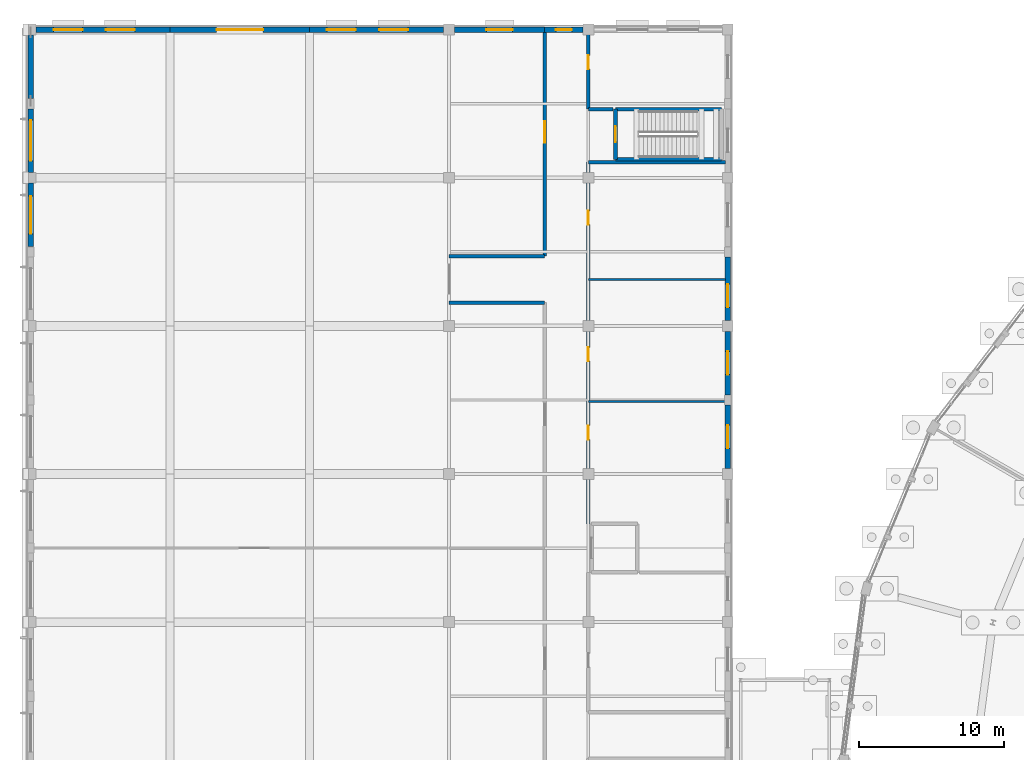
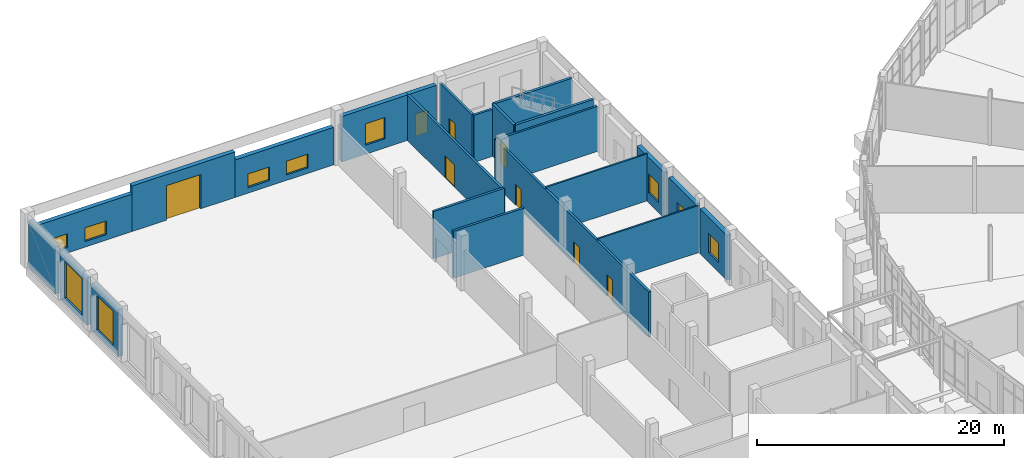
# One storey, part 107 of 137: 23 walls, 10 windows, 8 doors, 18 openings.
"""IFC4 building model written with IfcOpenShell, lengths in metres."""

from ifc_helpers import new_model, si_unit, direction, frame, frame_2d, origin, place, context, subcontext, project, spatial, rectangle, extrude, material, layer, layer_set, type_object, element, fill, save


model = new_model("IFC4")

# Units and contexts
model_context = context("Model", 3, precision=1e-05, world=origin(), true_north=direction((0.0, 1.0)))
body_context = subcontext(model_context, "Body", "Model", "MODEL_VIEW")
ifc_project = project(units=[si_unit("LENGTHUNIT", "METRE"), si_unit("AREAUNIT", "SQUARE_METRE"), si_unit("VOLUMEUNIT", "CUBIC_METRE"), si_unit("PLANEANGLEUNIT", "RADIAN"), si_unit("MASSUNIT", "GRAM", prefix="KILO")], contexts=[model_context])

# Site, building, storey
site_placement = place(None, origin())
site = spatial("IfcSite", under=ifc_project, at=site_placement, CompositionType="ELEMENT")
building_placement = place(site_placement, origin())
building = spatial("IfcBuilding", under=site, at=building_placement, Name="Vondelvale Polytechnic", CompositionType="ELEMENT")
storey_placement = place(building_placement, origin())
storey = spatial("IfcBuildingStorey", under=building, at=storey_placement, Name="L00", CompositionType="ELEMENT", Elevation=0.0)

# Walls
ifc_material_1 = material(Name="Concrete N40 (f'c = 40 MPa)", Category="concrete")
ifc_layer_1 = layer(ifc_material_1, 0.25)
ifc_layer_set_1 = layer_set([ifc_layer_1], Name="WL-CORE-250")
wall_type_1 = type_object("IfcWallType", Name="WL-CORE-250", PredefinedType="SOLIDWALL", material=ifc_layer_set_1)
for number, where, z_axis, x_axis, name in (
    (1, (40.27490234375, 113.47509765625, 0.0), (0.0, 0.0, 1.0), (1.0, 0.0, 0.0), "L00 ST-02 reinforced concrete stair core wall"),
    (2, (47.574951171875, 116.925048828125, 0.0), (0.0, 0.0, 1.0), (-1.0, 0.0, 0.0), "L00 ST-02 reinforced concrete stair core wall"),
):
    element("IfcWall", number, at=place(storey_placement, frame(where, z_axis=z_axis, x_axis=x_axis)), inside=storey, type_object=wall_type_1, Name=name, PredefinedType="SOLIDWALL", context=body_context, shape_type="SweptSolid", body=[
        extrude(rectangle(XDim=7.300048828125, YDim=0.25, at=frame_2d((3.64990234375, 0.0))), origin(), (0.0, 0.0, 1.0), 5.1201171875),
    ])

# Wall, opening, door
wall_1_placement = place(storey_placement, frame((40.27490234375, 113.47509765625, 0.0), z_axis=(0.0, 0.0, 1.0), x_axis=(0.0, 1.0, 0.0)))
wall_1 = element("IfcWall", 3, at=wall_1_placement, inside=storey, type_object=wall_type_1, Name="L00 ST-02 reinforced concrete stair core wall", PredefinedType="SOLIDWALL", context=body_context, shape_type="SweptSolid", body=[
    extrude(rectangle(XDim=3.449951171875, YDim=0.25, at=frame_2d((1.72509765625, 0.0))), origin(), (0.0, 0.0, 1.0), 5.1201171875),
])
opening_1_placement = place(wall_1_placement, frame((1.175048828125, 0.0, 0.0)))
opening_1 = element("IfcOpeningElement", 4, at=opening_1_placement, cuts=wall_1, Name="Opening SD-006", PredefinedType="OPENING", context=body_context, shape_type="SweptSolid", body=[
    extrude(rectangle(XDim=1.10009765625, YDim=2.199951171875, at=frame_2d((0.550048828125, 1.10009765625))), frame((0.0, 0.135009765625, 0.0), z_axis=(0.0, -1.0, 0.0), x_axis=(1.0, 0.0, 0.0)), (0.0, 0.0, 1.0), 0.27001953125),
])
ifc_material_2 = material(Name="Brushed architectural stainless and zinc-coated metal")
door_type_1 = type_object("IfcDoorType", Name="DR-STAIR-1100x2200", OperationType="SINGLE_SWING_LEFT", PredefinedType="DOOR", material=ifc_material_2)
door_1_placement = place(opening_1_placement, origin())
door_1 = element("IfcDoor", 5, at=door_1_placement, inside=storey, type_object=door_type_1, Name="L00 ST-02 fire-isolated stair door", OperationType="SINGLE_SWING_RIGHT", OverallHeight=2.199951171875, OverallWidth=1.10009765625, PredefinedType="DOOR", context=body_context, shape_type="SweptSolid", body=[
    extrude(rectangle(XDim=1.10009765625, YDim=2.199951171875, at=frame_2d((0.550048828125, 1.10009765625))), frame((0.0, 0.02490234375, 0.0), z_axis=(0.0, -1.0, 0.0), x_axis=(1.0, 0.0, 0.0)), (0.0, 0.0, 1.0), 0.050048828125),
])
fill(opening_1, door_1)

# Walls
ifc_material_3 = material(Name="Fire-rated double-layer plasterboard stud partition")
ifc_layer_2 = layer(ifc_material_3, 0.219970703125)
ifc_layer_set_2 = layer_set([ifc_layer_2], Name="WL-CORR-220")
wall_type_2 = type_object("IfcWallType", Name="WL-CORR-220", PredefinedType="PARTITIONING", material=ifc_layer_set_2)
for number, where, z_axis, x_axis, name in (
    (6, (28.800048828125, 103.60009765625, 0.0), (0.0, 0.0, 1.0), (1.0, 0.0, 0.0), "L00 interior acoustic partition"),
    (7, (28.800048828125, 106.800048828125, 0.0), (0.0, 0.0, 1.0), (1.0, 0.0, 0.0), "L00 interior acoustic partition"),
):
    element("IfcWall", number, at=place(storey_placement, frame(where, z_axis=z_axis, x_axis=x_axis)), inside=storey, type_object=wall_type_2, Name=name, PredefinedType="PARTITIONING", context=body_context, shape_type="SweptSolid", body=[
        extrude(rectangle(XDim=6.599853515625, YDim=0.219970703125, at=frame_2d((3.2998046875, 0.0))), origin(), (0.0, 0.0, 1.0), 4.64306640625),
    ])

# Wall, opening, door
wall_2_placement = place(storey_placement, frame((35.39990234375, 106.800048828125, 0.0), z_axis=(0.0, 0.0, 1.0), x_axis=(0.0, 1.0, 0.0)))
wall_2 = element("IfcWall", 8, at=wall_2_placement, inside=storey, type_object=wall_type_2, Name="L00 interior acoustic partition", PredefinedType="PARTITIONING", context=body_context, shape_type="SweptSolid", body=[
    extrude(rectangle(XDim=15.449951171875, YDim=0.219970703125, at=frame_2d((7.72509765625, 0.0))), origin(), (0.0, 0.0, 1.0), 4.492919921875),
])
opening_2_placement = place(wall_2_placement, frame((7.800048828125, 0.0, 0.0)))
opening_2 = element("IfcOpeningElement", 9, at=opening_2_placement, cuts=wall_2, Name="Opening ID-0094", PredefinedType="OPENING", context=body_context, shape_type="SweptSolid", body=[
    extrude(rectangle(XDim=1.5, YDim=2.199951171875, at=frame_2d((0.75, 1.10009765625))), frame((0.0, 0.119873046875, 0.0), z_axis=(0.0, -1.0, 0.0), x_axis=(1.0, 0.0, 0.0)), (0.0, 0.0, 1.0), 0.239990234375),
])
ifc_material_4 = material(Name="Fire-rated solid Tasmanian oak joinery")
door_type_2 = type_object("IfcDoorType", Name="DR-LAB-1500x2200", OperationType="DOUBLE_DOOR_SINGLE_SWING", PredefinedType="DOOR", material=ifc_material_4)
door_2_placement = place(opening_2_placement, origin())
door_2 = element("IfcDoor", 10, at=door_2_placement, inside=storey, type_object=door_type_2, Name="L00 interior room door ID-0094", OperationType="DOUBLE_DOOR_SINGLE_SWING", OverallHeight=2.199951171875, OverallWidth=1.5, PredefinedType="DOOR", context=body_context, shape_type="SweptSolid", body=[
    extrude(rectangle(XDim=1.5, YDim=2.199951171875, at=frame_2d((0.75, 1.10009765625))), frame((0.0, 0.02490234375, 0.0), z_axis=(0.0, -1.0, 0.0), x_axis=(1.0, 0.0, 0.0)), (0.0, 0.0, 1.0), 0.050048828125),
])
fill(opening_2, door_2)

# Wall, openings, doors
wall_3_placement = place(storey_placement, frame((38.39990234375, 88.375, 0.0), z_axis=(0.0, 0.0, 1.0), x_axis=(0.0, 1.0, 0.0)))
wall_3 = element("IfcWall", 11, at=wall_3_placement, inside=storey, type_object=wall_type_2, Name="L00 interior acoustic partition", PredefinedType="PARTITIONING", context=body_context, shape_type="SweptSolid", body=[
    extrude(rectangle(XDim=24.89990234375, YDim=0.219970703125, at=frame_2d((12.449951171875, 0.0))), origin(), (0.0, 0.0, 1.0), 4.492919921875),
])
opening_3_placement = place(wall_3_placement, frame((5.800048828125, 0.0, 0.0)))
opening_3 = element("IfcOpeningElement", 12, at=opening_3_placement, cuts=wall_3, Name="Opening ID-0100", PredefinedType="OPENING", context=body_context, shape_type="SweptSolid", body=[
    extrude(rectangle(XDim=0.949951171875, YDim=2.10009765625, at=frame_2d((0.47509765625, 1.050048828125))), frame((0.0, 0.119873046875, 0.0), z_axis=(0.0, -1.0, 0.0), x_axis=(1.0, 0.0, 0.0)), (0.0, 0.0, 1.0), 0.239990234375),
])
opening_4_placement = place(wall_3_placement, frame((11.199951171875, 0.0, 0.0)))
opening_4 = element("IfcOpeningElement", 13, at=opening_4_placement, cuts=wall_3, Name="Opening ID-0101", PredefinedType="OPENING", context=body_context, shape_type="SweptSolid", body=[
    extrude(rectangle(XDim=0.949951171875, YDim=2.10009765625, at=frame_2d((0.47509765625, 1.050048828125))), frame((0.0, 0.119873046875, 0.0), z_axis=(0.0, -1.0, 0.0), x_axis=(1.0, 0.0, 0.0)), (0.0, 0.0, 1.0), 0.239990234375),
])
opening_5_placement = place(wall_3_placement, frame((20.60009765625, 0.0, 0.0)))
opening_5 = element("IfcOpeningElement", 14, at=opening_5_placement, cuts=wall_3, Name="Opening ID-0102", PredefinedType="OPENING", context=body_context, shape_type="SweptSolid", body=[
    extrude(rectangle(XDim=0.949951171875, YDim=2.10009765625, at=frame_2d((0.47509765625, 1.050048828125))), frame((0.0, 0.119873046875, 0.0), z_axis=(0.0, -1.0, 0.0), x_axis=(1.0, 0.0, 0.0)), (0.0, 0.0, 1.0), 0.239990234375),
])
door_type_3 = type_object("IfcDoorType", Name="DR-INT-0950x2100", OperationType="SINGLE_SWING_LEFT", PredefinedType="DOOR", material=ifc_material_4)
door_3_placement = place(opening_3_placement, origin())
door_3 = element("IfcDoor", 15, at=door_3_placement, inside=storey, type_object=door_type_3, Name="L00 interior room door ID-0100", OperationType="SINGLE_SWING_RIGHT", OverallHeight=2.10009765625, OverallWidth=0.949951171875, PredefinedType="DOOR", context=body_context, shape_type="SweptSolid", body=[
    extrude(rectangle(XDim=0.949951171875, YDim=2.10009765625, at=frame_2d((0.47509765625, 1.050048828125))), frame((0.0, 0.02490234375, 0.0), z_axis=(0.0, -1.0, 0.0), x_axis=(1.0, 0.0, 0.0)), (0.0, 0.0, 1.0), 0.050048828125),
])
fill(opening_3, door_3)
door_4_placement = place(opening_4_placement, origin())
door_4 = element("IfcDoor", 16, at=door_4_placement, inside=storey, type_object=door_type_3, Name="L00 interior room door ID-0101", OperationType="SINGLE_SWING_LEFT", OverallHeight=2.10009765625, OverallWidth=0.949951171875, PredefinedType="DOOR", context=body_context, shape_type="SweptSolid", body=[
    extrude(rectangle(XDim=0.949951171875, YDim=2.10009765625, at=frame_2d((0.47509765625, 1.050048828125))), frame((0.0, 0.02490234375, 0.0), z_axis=(0.0, -1.0, 0.0), x_axis=(1.0, 0.0, 0.0)), (0.0, 0.0, 1.0), 0.050048828125),
])
fill(opening_4, door_4)
door_5_placement = place(opening_5_placement, origin())
door_5 = element("IfcDoor", 17, at=door_5_placement, inside=storey, type_object=door_type_3, Name="L00 interior room door ID-0102", OperationType="SINGLE_SWING_RIGHT", OverallHeight=2.10009765625, OverallWidth=0.949951171875, PredefinedType="DOOR", context=body_context, shape_type="SweptSolid", body=[
    extrude(rectangle(XDim=0.949951171875, YDim=2.10009765625, at=frame_2d((0.47509765625, 1.050048828125))), frame((0.0, 0.02490234375, 0.0), z_axis=(0.0, -1.0, 0.0), x_axis=(1.0, 0.0, 0.0)), (0.0, 0.0, 1.0), 0.050048828125),
])
fill(opening_5, door_5)

# Walls
wall_4_placement = place(storey_placement, frame((38.39990234375, 113.27490234375, 0.0), z_axis=(0.0, 0.0, 1.0), x_axis=(1.0, 0.0, 0.0)))
element("IfcWall", 18, at=wall_4_placement, inside=storey, type_object=wall_type_2, Name="L00 interior acoustic partition", PredefinedType="PARTITIONING", context=body_context, shape_type="SweptSolid", body=[
    extrude(rectangle(XDim=9.4501953125, YDim=0.219970703125, at=frame_2d((4.72509765625, 0.0))), origin(), (0.0, 0.0, 1.0), 4.449951171875),
])
wall_5_placement = place(storey_placement, frame((38.39990234375, 116.925048828125, 0.0), z_axis=(0.0, 0.0, 1.0), x_axis=(1.0, 0.0, 0.0)))
element("IfcWall", 19, at=wall_5_placement, inside=storey, type_object=wall_type_2, Name="L00 interior acoustic partition", PredefinedType="PARTITIONING", context=body_context, shape_type="SweptSolid", body=[
    extrude(rectangle(XDim=1.710205078125, YDim=0.219970703125, at=frame_2d((0.85498046875, 0.0))), origin(), (0.0, 0.0, 1.0), 4.64306640625),
])

# Wall, opening, door
wall_6_placement = place(storey_placement, frame((38.39990234375, 116.925048828125, 0.0), z_axis=(0.0, 0.0, 1.0), x_axis=(0.0, 1.0, 0.0)))
wall_6 = element("IfcWall", 20, at=wall_6_placement, inside=storey, type_object=wall_type_2, Name="L00 interior acoustic partition", PredefinedType="PARTITIONING", context=body_context, shape_type="SweptSolid", body=[
    extrude(rectangle(XDim=5.324951171875, YDim=0.219970703125, at=frame_2d((2.66259765625, 0.0))), origin(), (0.0, 0.0, 1.0), 4.64306640625),
])
opening_6_placement = place(wall_6_placement, frame((2.75, 0.0, 0.0)))
opening_6 = element("IfcOpeningElement", 21, at=opening_6_placement, cuts=wall_6, Name="Opening ID-0103", PredefinedType="OPENING", context=body_context, shape_type="SweptSolid", body=[
    extrude(rectangle(XDim=0.949951171875, YDim=2.10009765625, at=frame_2d((0.47509765625, 1.050048828125))), frame((0.0, 0.119873046875, 0.0), z_axis=(0.0, -1.0, 0.0), x_axis=(1.0, 0.0, 0.0)), (0.0, 0.0, 1.0), 0.239990234375),
])
door_6_placement = place(opening_6_placement, origin())
door_6 = element("IfcDoor", 22, at=door_6_placement, inside=storey, type_object=door_type_3, Name="L00 interior room door ID-0103", OperationType="SINGLE_SWING_LEFT", OverallHeight=2.10009765625, OverallWidth=0.949951171875, PredefinedType="DOOR", context=body_context, shape_type="SweptSolid", body=[
    extrude(rectangle(XDim=0.949951171875, YDim=2.10009765625, at=frame_2d((0.47509765625, 1.050048828125))), frame((0.0, 0.02490234375, 0.0), z_axis=(0.0, -1.0, 0.0), x_axis=(1.0, 0.0, 0.0)), (0.0, 0.0, 1.0), 0.050048828125),
])
fill(opening_6, door_6)

# Walls
ifc_layer_3 = layer(ifc_material_3, 0.14990234375)
ifc_layer_set_3 = layer_set([ifc_layer_3], Name="WL-INT-150")
wall_type_3 = type_object("IfcWallType", Name="WL-INT-150", PredefinedType="PARTITIONING", material=ifc_layer_set_3)
for number, where, z_axis, x_axis, name in (
    (23, (38.39990234375, 96.800048828125, 0.0), (0.0, 0.0, 1.0), (1.0, 0.0, 0.0), "L00 interior acoustic partition"),
    (24, (38.39990234375, 105.199951171875, 0.0), (0.0, 0.0, 1.0), (1.0, 0.0, 0.0), "L00 interior acoustic partition"),
):
    element("IfcWall", number, at=place(storey_placement, frame(where, z_axis=z_axis, x_axis=x_axis)), inside=storey, type_object=wall_type_3, Name=name, PredefinedType="PARTITIONING", context=body_context, shape_type="SweptSolid", body=[
        extrude(rectangle(XDim=9.4501953125, YDim=0.14990234375, at=frame_2d((4.72509765625, 0.0))), origin(), (0.0, 0.0, 1.0), 4.64306640625),
    ])

# Wall, opening, window
ifc_material_5 = material(Name="Malmsbury bluestone ashlar stone masonry", Category="masonry")
ifc_layer_4 = layer(ifc_material_5, 0.39990234375)
ifc_layer_set_4 = layer_set([ifc_layer_4], Name="WL-PLINTH-400")
wall_type_4 = type_object("IfcWallType", Name="WL-PLINTH-400", PredefinedType="SOLIDWALL", material=ifc_layer_set_4)
wall_7_placement = place(storey_placement, frame((0.0, 107.450927734375, 0.0), z_axis=(0.0, 0.0, 1.0), x_axis=(0.0, 1.0, 0.0)))
wall_7 = element("IfcWall", 25, at=wall_7_placement, inside=storey, type_object=wall_type_4, Name="L00 exterior masonry facade wall", PredefinedType="SOLIDWALL", context=body_context, shape_type="SweptSolid", body=[
    extrude(rectangle(XDim=4.373046875, YDim=0.39990234375, at=frame_2d((2.1865234375, 0.0))), origin(), (0.0, 0.0, 1.0), 4.64990234375),
])
opening_7_placement = place(wall_7_placement, frame((0.886474609375, 0.0, 0.550048828125)))
opening_7 = element("IfcOpeningElement", 26, at=opening_7_placement, cuts=wall_7, Name="Opening WN-0010", PredefinedType="OPENING", context=body_context, shape_type="SweptSolid", body=[
    extrude(rectangle(XDim=2.60009765625, YDim=3.39990234375, at=frame_2d((1.300048828125, 1.699951171875))), frame((0.0, 0.2099609375, 0.0), z_axis=(0.0, -1.0, 0.0), x_axis=(1.0, 0.0, 0.0)), (0.0, 0.0, 1.0), 0.419921875),
])
ifc_material_6 = material(Name="Double-glazed low-E insulated architectural glass", Category="glass")
window_type_1 = type_object("IfcWindowType", Name="WN-WORK-2600x3400", PartitioningType="SINGLE_PANEL", PredefinedType="WINDOW", material=ifc_material_6)
window_1_placement = place(opening_7_placement, origin())
window_1 = element("IfcWindow", 27, at=window_1_placement, inside=storey, type_object=window_type_1, Name="L00 double-glazed architectural window WN-0010", OverallHeight=3.39990234375, OverallWidth=2.60009765625, PartitioningType="SINGLE_PANEL", PredefinedType="WINDOW", context=body_context, shape_type="SweptSolid", body=[
    extrude(rectangle(XDim=2.60009765625, YDim=3.39990234375, at=frame_2d((1.300048828125, 1.699951171875))), frame((0.0, 0.030029296875, 0.0), z_axis=(0.0, -1.0, 0.0), x_axis=(1.0, 0.0, 0.0)), (0.0, 0.0, 1.0), 0.06005859375),
])
fill(opening_7, window_1)

wall_8_placement = place(storey_placement, frame((0.0, 112.575927734375, 0.0), z_axis=(0.0, 0.0, 1.0), x_axis=(0.0, 1.0, 0.0)))
wall_8 = element("IfcWall", 28, at=wall_8_placement, inside=storey, type_object=wall_type_4, Name="L00 exterior masonry facade wall", PredefinedType="SOLIDWALL", context=body_context, shape_type="SweptSolid", body=[
    extrude(rectangle(XDim=4.373046875, YDim=0.39990234375, at=frame_2d((2.1865234375, 0.0))), origin(), (0.0, 0.0, 1.0), 4.64990234375),
])
opening_8_placement = place(wall_8_placement, frame((0.78662109375, 0.0, 0.550048828125)))
opening_8 = element("IfcOpeningElement", 29, at=opening_8_placement, cuts=wall_8, Name="Opening WN-0011", PredefinedType="OPENING", context=body_context, shape_type="SweptSolid", body=[
    extrude(rectangle(XDim=2.800048828125, YDim=3.60009765625, at=frame_2d((1.39990234375, 1.800048828125))), frame((0.0, 0.2099609375, 0.0), z_axis=(0.0, -1.0, 0.0), x_axis=(1.0, 0.0, 0.0)), (0.0, 0.0, 1.0), 0.419921875),
])
window_type_2 = type_object("IfcWindowType", Name="WN-WORK-2800x3600", PartitioningType="SINGLE_PANEL", PredefinedType="WINDOW", material=ifc_material_6)
window_2_placement = place(opening_8_placement, origin())
window_2 = element("IfcWindow", 30, at=window_2_placement, inside=storey, type_object=window_type_2, Name="L00 double-glazed architectural window WN-0011", OverallHeight=3.60009765625, OverallWidth=2.800048828125, PartitioningType="SINGLE_PANEL", PredefinedType="WINDOW", context=body_context, shape_type="SweptSolid", body=[
    extrude(rectangle(XDim=2.800048828125, YDim=3.60009765625, at=frame_2d((1.39990234375, 1.800048828125))), frame((0.0, 0.030029296875, 0.0), z_axis=(0.0, -1.0, 0.0), x_axis=(1.0, 0.0, 0.0)), (0.0, 0.0, 1.0), 0.06005859375),
])
fill(opening_8, window_2)

# Wall
wall_9_placement = place(storey_placement, frame((0.0, 117.65087890625, 0.0), z_axis=(0.0, 0.0, 1.0), x_axis=(0.0, 1.0, 0.0)))
element("IfcWall", 31, at=wall_9_placement, inside=storey, type_object=wall_type_4, Name="L00 exterior masonry facade wall", PredefinedType="SOLIDWALL", context=body_context, shape_type="SweptSolid", body=[
    extrude(rectangle(XDim=4.373046875, YDim=0.39990234375, at=frame_2d((2.1865234375, 0.0))), origin(), (0.0, 0.0, 1.0), 4.64990234375),
])

# Wall, opening, window
wall_10_placement = place(storey_placement, frame((48.0, 96.549072265625, 0.0), z_axis=(0.0, 0.0, 1.0), x_axis=(0.0, -1.0, 0.0)))
wall_10 = element("IfcWall", 32, at=wall_10_placement, inside=storey, type_object=wall_type_4, Name="L00 exterior masonry facade wall", PredefinedType="SOLIDWALL", context=body_context, shape_type="SweptSolid", body=[
    extrude(rectangle(XDim=4.373046875, YDim=0.39990234375, at=frame_2d((2.1865234375, 0.0))), origin(), (0.0, 0.0, 1.0), 4.449951171875),
])
opening_9_placement = place(wall_10_placement, frame((1.386474609375, 0.0, 0.949951171875)))
opening_9 = element("IfcOpeningElement", 33, at=opening_9_placement, cuts=wall_10, Name="Opening WN-0019", PredefinedType="OPENING", context=body_context, shape_type="SweptSolid", body=[
    extrude(rectangle(XDim=1.60009765625, YDim=1.89990234375, at=frame_2d((0.800048828125, 0.949951171875))), frame((0.0, 0.2099609375, 0.0), z_axis=(0.0, -1.0, 0.0), x_axis=(1.0, 0.0, 0.0)), (0.0, 0.0, 1.0), 0.419921875),
])
window_type_3 = type_object("IfcWindowType", Name="WN-SEM-1600x1900", PartitioningType="SINGLE_PANEL", PredefinedType="WINDOW", material=ifc_material_6)
window_3_placement = place(opening_9_placement, origin())
window_3 = element("IfcWindow", 34, at=window_3_placement, inside=storey, type_object=window_type_3, Name="L00 double-glazed architectural window WN-0019", OverallHeight=1.89990234375, OverallWidth=1.60009765625, PartitioningType="SINGLE_PANEL", PredefinedType="WINDOW", context=body_context, shape_type="SweptSolid", body=[
    extrude(rectangle(XDim=1.60009765625, YDim=1.89990234375, at=frame_2d((0.800048828125, 0.949951171875))), frame((0.0, 0.030029296875, 0.0), z_axis=(0.0, -1.0, 0.0), x_axis=(1.0, 0.0, 0.0)), (0.0, 0.0, 1.0), 0.06005859375),
])
fill(opening_9, window_3)

wall_11_placement = place(storey_placement, frame((48.0, 101.6240234375, 0.0), z_axis=(0.0, 0.0, 1.0), x_axis=(0.0, -1.0, 0.0)))
wall_11 = element("IfcWall", 35, at=wall_11_placement, inside=storey, type_object=wall_type_4, Name="L00 exterior masonry facade wall", PredefinedType="SOLIDWALL", context=body_context, shape_type="SweptSolid", body=[
    extrude(rectangle(XDim=4.373046875, YDim=0.39990234375, at=frame_2d((2.1865234375, 0.0))), origin(), (0.0, 0.0, 1.0), 4.449951171875),
])
opening_10_placement = place(wall_11_placement, frame((1.386474609375, 0.0, 0.949951171875)))
opening_10 = element("IfcOpeningElement", 36, at=opening_10_placement, cuts=wall_11, Name="Opening WN-0020", PredefinedType="OPENING", context=body_context, shape_type="SweptSolid", body=[
    extrude(rectangle(XDim=1.60009765625, YDim=1.89990234375, at=frame_2d((0.800048828125, 0.949951171875))), frame((0.0, 0.2099609375, 0.0), z_axis=(0.0, -1.0, 0.0), x_axis=(1.0, 0.0, 0.0)), (0.0, 0.0, 1.0), 0.419921875),
])
window_4_placement = place(opening_10_placement, origin())
window_4 = element("IfcWindow", 37, at=window_4_placement, inside=storey, type_object=window_type_3, Name="L00 double-glazed architectural window WN-0020", OverallHeight=1.89990234375, OverallWidth=1.60009765625, PartitioningType="SINGLE_PANEL", PredefinedType="WINDOW", context=body_context, shape_type="SweptSolid", body=[
    extrude(rectangle(XDim=1.60009765625, YDim=1.89990234375, at=frame_2d((0.800048828125, 0.949951171875))), frame((0.0, 0.030029296875, 0.0), z_axis=(0.0, -1.0, 0.0), x_axis=(1.0, 0.0, 0.0)), (0.0, 0.0, 1.0), 0.06005859375),
])
fill(opening_10, window_4)

wall_12_placement = place(storey_placement, frame((48.0, 106.7490234375, 0.0), z_axis=(0.0, 0.0, 1.0), x_axis=(0.0, -1.0, 0.0)))
wall_12 = element("IfcWall", 38, at=wall_12_placement, inside=storey, type_object=wall_type_4, Name="L00 exterior masonry facade wall", PredefinedType="SOLIDWALL", context=body_context, shape_type="SweptSolid", body=[
    extrude(rectangle(XDim=4.373046875, YDim=0.39990234375, at=frame_2d((2.1865234375, 0.0))), origin(), (0.0, 0.0, 1.0), 4.449951171875),
])
opening_11_placement = place(wall_12_placement, frame((1.868896484375, 0.0, 0.949951171875)))
opening_11 = element("IfcOpeningElement", 39, at=opening_11_placement, cuts=wall_12, Name="Opening WN-0021", PredefinedType="OPENING", context=body_context, shape_type="SweptSolid", body=[
    extrude(rectangle(XDim=1.60009765625, YDim=1.89990234375, at=frame_2d((0.800048828125, 0.949951171875))), frame((0.0, 0.2099609375, 0.0), z_axis=(0.0, -1.0, 0.0), x_axis=(1.0, 0.0, 0.0)), (0.0, 0.0, 1.0), 0.419921875),
])
window_5_placement = place(opening_11_placement, origin())
window_5 = element("IfcWindow", 40, at=window_5_placement, inside=storey, type_object=window_type_3, Name="L00 double-glazed architectural window WN-0021", OverallHeight=1.89990234375, OverallWidth=1.60009765625, PartitioningType="SINGLE_PANEL", PredefinedType="WINDOW", context=body_context, shape_type="SweptSolid", body=[
    extrude(rectangle(XDim=1.60009765625, YDim=1.89990234375, at=frame_2d((0.800048828125, 0.949951171875))), frame((0.0, 0.030029296875, 0.0), z_axis=(0.0, -1.0, 0.0), x_axis=(1.0, 0.0, 0.0)), (0.0, 0.0, 1.0), 0.06005859375),
])
fill(opening_11, window_5)

# Wall, openings, windows
wall_13_placement = place(storey_placement, frame((0.3759765625, 122.39990234375, 0.0), z_axis=(0.0, 0.0, 1.0), x_axis=(1.0, 0.0, 0.0)))
wall_13 = element("IfcWall", 41, at=wall_13_placement, inside=storey, type_object=wall_type_4, Name="L00 exterior masonry facade wall", PredefinedType="SOLIDWALL", context=body_context, shape_type="SweptSolid", body=[
    extrude(rectangle(XDim=9.22412109375, YDim=0.39990234375, at=frame_2d((4.612060546875, 0.0))), origin(), (0.0, 0.0, 1.0), 3.699951171875),
])
opening_12_placement = place(wall_13_placement, frame((1.199951171875, 0.0, 0.550048828125)))
opening_12 = element("IfcOpeningElement", 42, at=opening_12_placement, cuts=wall_13, Name="Opening WN-0032", PredefinedType="OPENING", context=body_context, shape_type="SweptSolid", body=[
    extrude(rectangle(XDim=2.0, YDim=1.35009765625, at=frame_2d((1.0, 0.675048828125))), frame((0.0, 0.2099609375, 0.0), z_axis=(0.0, -1.0, 0.0), x_axis=(1.0, 0.0, 0.0)), (0.0, 0.0, 1.0), 0.419921875),
])
opening_13_placement = place(wall_13_placement, frame((4.800048828125, 0.0, 0.550048828125)))
opening_13 = element("IfcOpeningElement", 43, at=opening_13_placement, cuts=wall_13, Name="Opening WN-0033", PredefinedType="OPENING", context=body_context, shape_type="SweptSolid", body=[
    extrude(rectangle(XDim=2.0, YDim=1.35009765625, at=frame_2d((1.0, 0.675048828125))), frame((0.0, 0.2099609375, 0.0), z_axis=(0.0, -1.0, 0.0), x_axis=(1.0, 0.0, 0.0)), (0.0, 0.0, 1.0), 0.419921875),
])
window_type_4 = type_object("IfcWindowType", Name="WN-RIB-2000x1350", PartitioningType="SINGLE_PANEL", PredefinedType="WINDOW", material=ifc_material_6)
window_6_placement = place(opening_12_placement, origin())
window_6 = element("IfcWindow", 44, at=window_6_placement, inside=storey, type_object=window_type_4, Name="L00 double-glazed architectural window WN-0032", OverallHeight=1.35009765625, OverallWidth=2.0, PartitioningType="SINGLE_PANEL", PredefinedType="WINDOW", context=body_context, shape_type="SweptSolid", body=[
    extrude(rectangle(XDim=2.0, YDim=1.35009765625, at=frame_2d((1.0, 0.675048828125))), frame((0.0, 0.030029296875, 0.0), z_axis=(0.0, -1.0, 0.0), x_axis=(1.0, 0.0, 0.0)), (0.0, 0.0, 1.0), 0.06005859375),
])
fill(opening_12, window_6)
window_7_placement = place(opening_13_placement, origin())
window_7 = element("IfcWindow", 45, at=window_7_placement, inside=storey, type_object=window_type_4, Name="L00 double-glazed architectural window WN-0033", OverallHeight=1.35009765625, OverallWidth=2.0, PartitioningType="SINGLE_PANEL", PredefinedType="WINDOW", context=body_context, shape_type="SweptSolid", body=[
    extrude(rectangle(XDim=2.0, YDim=1.35009765625, at=frame_2d((1.0, 0.675048828125))), frame((0.0, 0.030029296875, 0.0), z_axis=(0.0, -1.0, 0.0), x_axis=(1.0, 0.0, 0.0)), (0.0, 0.0, 1.0), 0.06005859375),
])
fill(opening_13, window_7)

# Wall, opening, door
wall_14_placement = place(storey_placement, frame((9.60009765625, 122.39990234375, 0.0), z_axis=(0.0, 0.0, 1.0), x_axis=(1.0, 0.0, 0.0)))
wall_14 = element("IfcWall", 46, at=wall_14_placement, inside=storey, type_object=wall_type_4, Name="L00 exterior masonry facade wall", PredefinedType="SOLIDWALL", context=body_context, shape_type="SweptSolid", body=[
    extrude(rectangle(XDim=9.599853515625, YDim=0.39990234375, at=frame_2d((4.7998046875, 0.0))), origin(), (0.0, 0.0, 1.0), 4.5),
])
opening_14_placement = place(wall_14_placement, frame((3.199951171875, 0.0, 0.0)))
opening_14 = element("IfcOpeningElement", 47, at=opening_14_placement, cuts=wall_14, Name="Opening ED-005", PredefinedType="OPENING", context=body_context, shape_type="SweptSolid", body=[
    extrude(rectangle(XDim=3.199951171875, YDim=3.39990234375, at=frame_2d((1.60009765625, 1.699951171875))), frame((0.0, 0.2099609375, 0.0), z_axis=(0.0, -1.0, 0.0), x_axis=(1.0, 0.0, 0.0)), (0.0, 0.0, 1.0), 0.419921875),
])
door_type_4 = type_object("IfcDoorType", Name="DR-LOAD-3200x3400", OperationType="ROLLINGUP", PredefinedType="GATE", material=ifc_material_2)
door_7_placement = place(opening_14_placement, origin())
door_7 = element("IfcDoor", 48, at=door_7_placement, inside=storey, type_object=door_type_4, Name="L00 exterior entrance/exit door ED-005", OperationType="ROLLINGUP", OverallHeight=3.39990234375, OverallWidth=3.199951171875, PredefinedType="GATE", context=body_context, shape_type="SweptSolid", body=[
    extrude(rectangle(XDim=3.199951171875, YDim=3.39990234375, at=frame_2d((1.60009765625, 1.699951171875))), frame((0.0, 0.02490234375, 0.0), z_axis=(0.0, -1.0, 0.0), x_axis=(1.0, 0.0, 0.0)), (0.0, 0.0, 1.0), 0.050048828125),
])
fill(opening_14, door_7)

# Wall, openings, windows
wall_15_placement = place(storey_placement, frame((19.199951171875, 122.39990234375, 0.0), z_axis=(0.0, 0.0, 1.0), x_axis=(1.0, 0.0, 0.0)))
wall_15 = element("IfcWall", 49, at=wall_15_placement, inside=storey, type_object=wall_type_4, Name="L00 exterior masonry facade wall", PredefinedType="SOLIDWALL", context=body_context, shape_type="SweptSolid", body=[
    extrude(rectangle(XDim=9.22412109375, YDim=0.39990234375, at=frame_2d((4.612060546875, 0.0))), origin(), (0.0, 0.0, 1.0), 3.699951171875),
])
opening_15_placement = place(wall_15_placement, frame((1.199951171875, 0.0, 0.550048828125)))
opening_15 = element("IfcOpeningElement", 50, at=opening_15_placement, cuts=wall_15, Name="Opening WN-0034", PredefinedType="OPENING", context=body_context, shape_type="SweptSolid", body=[
    extrude(rectangle(XDim=2.0, YDim=1.35009765625, at=frame_2d((1.0, 0.675048828125))), frame((0.0, 0.2099609375, 0.0), z_axis=(0.0, -1.0, 0.0), x_axis=(1.0, 0.0, 0.0)), (0.0, 0.0, 1.0), 0.419921875),
])
opening_16_placement = place(wall_15_placement, frame((4.800048828125, 0.0, 0.550048828125)))
opening_16 = element("IfcOpeningElement", 51, at=opening_16_placement, cuts=wall_15, Name="Opening WN-0035", PredefinedType="OPENING", context=body_context, shape_type="SweptSolid", body=[
    extrude(rectangle(XDim=2.0, YDim=1.35009765625, at=frame_2d((1.0, 0.675048828125))), frame((0.0, 0.2099609375, 0.0), z_axis=(0.0, -1.0, 0.0), x_axis=(1.0, 0.0, 0.0)), (0.0, 0.0, 1.0), 0.419921875),
])
window_8_placement = place(opening_15_placement, origin())
window_8 = element("IfcWindow", 52, at=window_8_placement, inside=storey, type_object=window_type_4, Name="L00 double-glazed architectural window WN-0034", OverallHeight=1.35009765625, OverallWidth=2.0, PartitioningType="SINGLE_PANEL", PredefinedType="WINDOW", context=body_context, shape_type="SweptSolid", body=[
    extrude(rectangle(XDim=2.0, YDim=1.35009765625, at=frame_2d((1.0, 0.675048828125))), frame((0.0, 0.030029296875, 0.0), z_axis=(0.0, -1.0, 0.0), x_axis=(1.0, 0.0, 0.0)), (0.0, 0.0, 1.0), 0.06005859375),
])
fill(opening_15, window_8)
window_9_placement = place(opening_16_placement, origin())
window_9 = element("IfcWindow", 53, at=window_9_placement, inside=storey, type_object=window_type_4, Name="L00 double-glazed architectural window WN-0035", OverallHeight=1.35009765625, OverallWidth=2.0, PartitioningType="SINGLE_PANEL", PredefinedType="WINDOW", context=body_context, shape_type="SweptSolid", body=[
    extrude(rectangle(XDim=2.0, YDim=1.35009765625, at=frame_2d((1.0, 0.675048828125))), frame((0.0, 0.030029296875, 0.0), z_axis=(0.0, -1.0, 0.0), x_axis=(1.0, 0.0, 0.0)), (0.0, 0.0, 1.0), 0.06005859375),
])
fill(opening_16, window_9)

# Wall, opening, window
wall_16_placement = place(storey_placement, frame((29.176025390625, 122.39990234375, 0.0), z_axis=(0.0, 0.0, 1.0), x_axis=(1.0, 0.0, 0.0)))
wall_16 = element("IfcWall", 54, at=wall_16_placement, inside=storey, type_object=wall_type_4, Name="L00 exterior masonry facade wall", PredefinedType="SOLIDWALL", context=body_context, shape_type="SweptSolid", body=[
    extrude(rectangle(XDim=6.223876953125, YDim=0.39990234375, at=frame_2d((3.11181640625, 0.0))), origin(), (0.0, 0.0, 1.0), 4.492919921875),
])
opening_17_placement = place(wall_16_placement, frame((2.2119140625, 0.0, 0.89990234375)))
opening_17 = element("IfcOpeningElement", 55, at=opening_17_placement, cuts=wall_16, Name="Opening WN-0036", PredefinedType="OPENING", context=body_context, shape_type="SweptSolid", body=[
    extrude(rectangle(XDim=1.800048828125, YDim=2.10009765625, at=frame_2d((0.89990234375, 1.050048828125))), frame((0.0, 0.2099609375, 0.0), z_axis=(0.0, -1.0, 0.0), x_axis=(1.0, 0.0, 0.0)), (0.0, 0.0, 1.0), 0.419921875),
])
window_type_5 = type_object("IfcWindowType", Name="WN-LAB-1800x2100", PartitioningType="SINGLE_PANEL", PredefinedType="WINDOW", material=ifc_material_6)
window_10_placement = place(opening_17_placement, origin())
window_10 = element("IfcWindow", 56, at=window_10_placement, inside=storey, type_object=window_type_5, Name="L00 double-glazed architectural window WN-0036", OverallHeight=2.10009765625, OverallWidth=1.800048828125, PartitioningType="SINGLE_PANEL", PredefinedType="WINDOW", context=body_context, shape_type="SweptSolid", body=[
    extrude(rectangle(XDim=1.800048828125, YDim=2.10009765625, at=frame_2d((0.89990234375, 1.050048828125))), frame((0.0, 0.030029296875, 0.0), z_axis=(0.0, -1.0, 0.0), x_axis=(1.0, 0.0, 0.0)), (0.0, 0.0, 1.0), 0.06005859375),
])
fill(opening_17, window_10)

# Wall, opening, door
wall_17_placement = place(storey_placement, frame((35.39990234375, 122.39990234375, 0.0), z_axis=(0.0, 0.0, 1.0), x_axis=(1.0, 0.0, 0.0)))
wall_17 = element("IfcWall", 57, at=wall_17_placement, inside=storey, type_object=wall_type_4, Name="L00 exterior masonry facade wall", PredefinedType="SOLIDWALL", context=body_context, shape_type="SweptSolid", body=[
    extrude(rectangle(XDim=2.6240234375, YDim=0.39990234375, at=frame_2d((1.31201171875, 0.0))), origin(), (0.0, 0.0, 1.0), 4.492919921875),
])
opening_18_placement = place(wall_17_placement, frame((0.761962890625, 0.0, 0.0)))
opening_18 = element("IfcOpeningElement", 58, at=opening_18_placement, cuts=wall_17, Name="Opening ED-006", PredefinedType="OPENING", context=body_context, shape_type="SweptSolid", body=[
    extrude(rectangle(XDim=1.10009765625, YDim=2.199951171875, at=frame_2d((0.550048828125, 1.10009765625))), frame((0.0, 0.2099609375, 0.0), z_axis=(0.0, -1.0, 0.0), x_axis=(1.0, 0.0, 0.0)), (0.0, 0.0, 1.0), 0.419921875),
])
ifc_material_7 = material(Name="Anodised extruded aluminium 6063-T6", Category="aluminium")
door_type_5 = type_object("IfcDoorType", Name="DR-EXT-1100x2200", OperationType="SINGLE_SWING_LEFT", PredefinedType="DOOR", material=ifc_material_7)
door_8_placement = place(opening_18_placement, origin())
door_8 = element("IfcDoor", 59, at=door_8_placement, inside=storey, type_object=door_type_5, Name="L00 exterior entrance/exit door ED-006", OperationType="SINGLE_SWING_RIGHT", OverallHeight=2.199951171875, OverallWidth=1.10009765625, PredefinedType="DOOR", context=body_context, shape_type="SweptSolid", body=[
    extrude(rectangle(XDim=1.10009765625, YDim=2.199951171875, at=frame_2d((0.550048828125, 1.10009765625))), frame((0.0, 0.02490234375, 0.0), z_axis=(0.0, -1.0, 0.0), x_axis=(1.0, 0.0, 0.0)), (0.0, 0.0, 1.0), 0.050048828125),
])
fill(opening_18, door_8)

save(model, "model.ifc")
